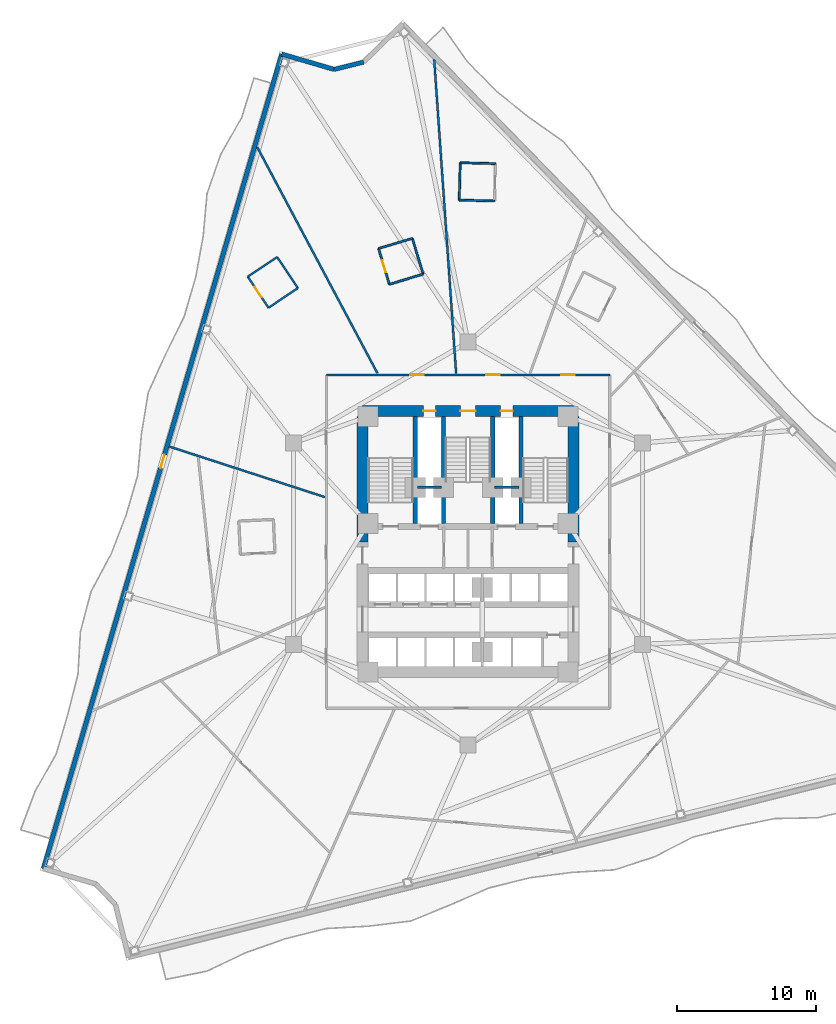
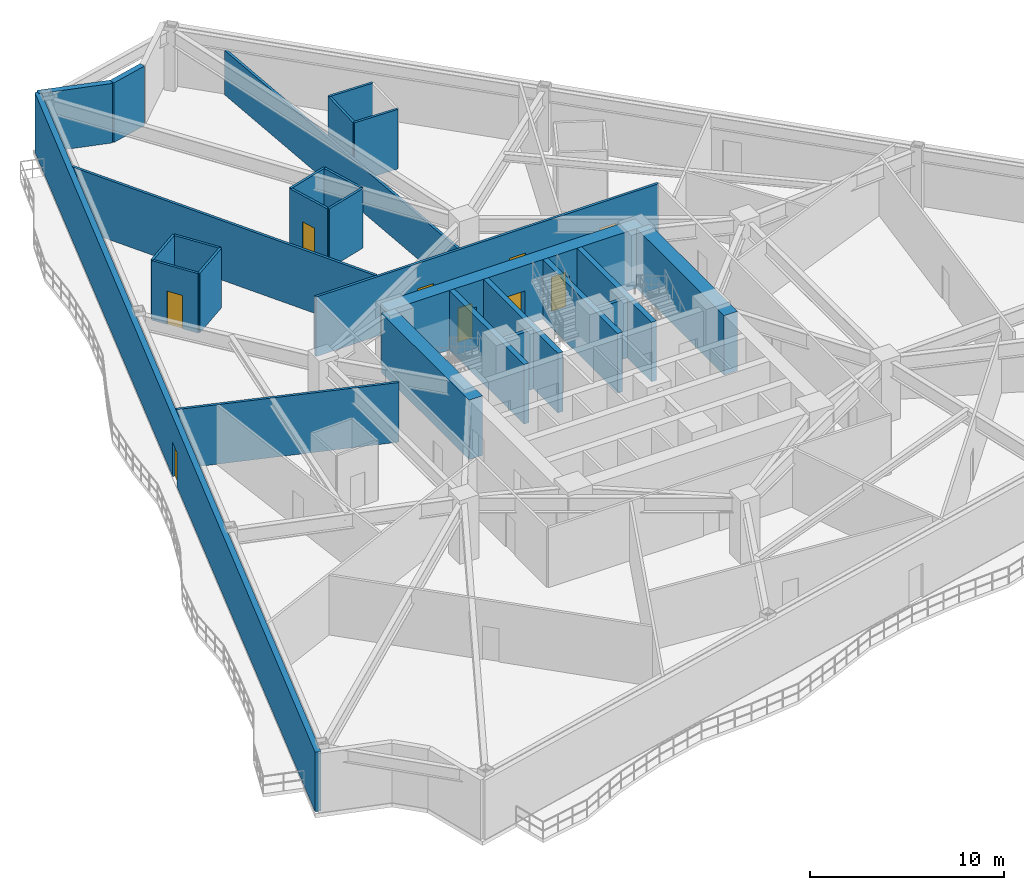
# One storey, part 5 of 10: 27 walls, 9 doors, 9 openings.
"""IFC4 building model written with IfcOpenShell, lengths in metres."""

from ifc_helpers import new_model, si_unit, direction, frame, frame_2d, origin, place, context, subcontext, project, spatial, rectangle, extrude, material, layer, layer_set, type_object, element, fill, save


model = new_model("IFC4")

# Units and contexts
model_context = context("Model", 3, precision=1e-05, world=origin(), true_north=direction((0.0, 1.0)))
body_context = subcontext(model_context, "Body", "Model", "MODEL_VIEW")
ifc_project = project(units=[si_unit("LENGTHUNIT", "METRE"), si_unit("AREAUNIT", "SQUARE_METRE"), si_unit("VOLUMEUNIT", "CUBIC_METRE"), si_unit("PLANEANGLEUNIT", "RADIAN"), si_unit("MASSUNIT", "GRAM", prefix="KILO")], contexts=[model_context])

# Site, building, storey
site_placement = place(None, origin())
site = spatial("IfcSite", under=ifc_project, at=site_placement, CompositionType="ELEMENT")
building_placement = place(site_placement, origin())
building = spatial("IfcBuilding", under=site, at=building_placement, Name="Apsidion Concourse Tower", CompositionType="ELEMENT")
storey_placement = place(building_placement, frame((0.0, 0.0, 99.0)))
storey = spatial("IfcBuildingStorey", under=building, at=storey_placement, Name="L22", CompositionType="ELEMENT", Elevation=99.0)

# Wall, opening, door
ifc_material_1 = material(Name="Precast concrete C40/50", Category="concrete")
ifc_layer_1 = layer(ifc_material_1, 0.320068359375)
ifc_layer_set_1 = layer_set([ifc_layer_1], Name="Precast concrete C40/50")
wall_type_1 = type_object("IfcWallType", Name="WL-EXT-320", PredefinedType="STANDARD", material=ifc_layer_set_1)
wall_1_placement = place(storey_placement, frame((-30.55908203125, -23.389404296875, 0.0), z_axis=(0.0, 0.0, 1.0), x_axis=(0.280769703207, 0.95977516834, 0.0)))
wall_1 = element("IfcWall", 1, at=wall_1_placement, inside=storey, type_object=wall_type_1, Name="L22 Precast Stone Facade Wall 09", PredefinedType="STANDARD", context=body_context, shape_type="SweptSolid", body=[
    extrude(rectangle(XDim=61.07568359375, YDim=0.320068359375, at=frame_2d((30.537841796875, 0.0))), origin(), (0.0, 0.0, 1.0), 3.75),
])
opening_1_placement = place(wall_1_placement, frame((30.037841796875, 0.0, 0.0)))
opening_1 = element("IfcOpeningElement", 2, at=opening_1_placement, cuts=wall_1, Name="Opening D-T1L", PredefinedType="OPENING", context=body_context, shape_type="SweptSolid", body=[
    extrude(rectangle(XDim=1.0, YDim=2.14990234375, at=frame_2d((0.5, 1.074951171875))), frame((0.0, 0.169921875, 0.0), z_axis=(0.0, -1.0, 0.0), x_axis=(1.0, 0.0, 0.0)), (0.0, 0.0, 1.0), 0.340087890625),
])
ifc_material_2 = material(Name="Anodised aluminium EN AW-6063 T6", Category="aluminium")
door_type_1 = type_object("IfcDoorType", Name="DR-TER-1022L", OperationType="SINGLE_SWING_LEFT", PredefinedType="DOOR", material=ifc_material_2)
door_1_placement = place(opening_1_placement, origin())
door_1 = element("IfcDoor", 3, at=door_1_placement, inside=storey, type_object=door_type_1, Name="L22 Balcony Access Door 1", OperationType="SINGLE_SWING_LEFT", OverallHeight=2.14990234375, OverallWidth=1.0, PredefinedType="DOOR", context=body_context, shape_type="SweptSolid", body=[
    extrude(rectangle(XDim=1.0, YDim=2.14990234375, at=frame_2d((0.5, 1.074951171875))), frame((0.0, 0.02490234375, 0.0), z_axis=(0.0, -1.0, 0.0), x_axis=(1.0, 0.0, 0.0)), (0.0, 0.0, 1.0), 0.050048828125),
])
fill(opening_1, door_1)

# Walls
wall_2_placement = place(storey_placement, frame((-13.410888671875, 35.2294921875, 0.0), z_axis=(0.0, 0.0, 1.0), x_axis=(0.959788404321, -0.280724453747, 0.0)))
element("IfcWall", 4, at=wall_2_placement, inside=storey, type_object=wall_type_1, Name="L22 Precast Stone Facade Wall 10", PredefinedType="STANDARD", context=body_context, shape_type="SweptSolid", body=[
    extrude(rectangle(XDim=3.93359375, YDim=0.320068359375, at=frame_2d((1.966796875, 0.0))), origin(), (0.0, 0.0, 1.0), 3.75),
])
wall_3_placement = place(storey_placement, frame((-9.635498046875, 34.125244140625, 0.0), z_axis=(0.0, 0.0, 1.0), x_axis=(0.970306423964, 0.241878985475, 0.0)))
element("IfcWall", 5, at=wall_3_placement, inside=storey, type_object=wall_type_1, Name="L22 Precast Stone Facade Wall 11", PredefinedType="STANDARD", context=body_context, shape_type="SweptSolid", body=[
    extrude(rectangle(XDim=2.187255859375, YDim=0.320068359375, at=frame_2d((1.09375, 0.0))), origin(), (0.0, 0.0, 1.0), 3.75),
])
ifc_material_3 = material(Name="Gypsum plasterboard partition")
ifc_layer_2 = layer(ifc_material_3, 0.139892578125)
ifc_layer_set_2 = layer_set([ifc_layer_2], Name="Gypsum plasterboard partition")
wall_type_2 = type_object("IfcWallType", Name="WL-INT-PAR-140", PredefinedType="PARTITIONING", material=ifc_layer_set_2)
wall_4_placement = place(storey_placement, frame((1.9765625, 27.346435546875, 0.0), z_axis=(0.0, 0.0, 1.0), x_axis=(-0.999658163524, 0.026144905815, 0.0)))
element("IfcWall", 6, at=wall_4_placement, inside=storey, type_object=wall_type_2, Name="L22 Interior Partition WL-L22-POD-ENS07-S2", PredefinedType="PARTITIONING", context=body_context, shape_type="SweptSolid", body=[
    extrude(rectangle(XDim=2.5400390625, YDim=0.139892578125, at=frame_2d((1.27001953125, 0.0))), origin(), (0.0, 0.0, 1.0), 3.75),
])
wall_5_placement = place(storey_placement, frame((-0.5625, 27.412841796875, 0.0), z_axis=(0.0, 0.0, 1.0), x_axis=(-0.026230303498, -0.999655926396, 0.0)))
element("IfcWall", 7, at=wall_5_placement, inside=storey, type_object=wall_type_2, Name="L22 Interior Partition WL-L22-POD-ENS07-S3", PredefinedType="PARTITIONING", context=body_context, shape_type="SweptSolid", body=[
    extrude(rectangle(XDim=2.68994140625, YDim=0.139892578125, at=frame_2d((1.344970703125, 0.0))), origin(), (0.0, 0.0, 1.0), 3.75),
])
wall_6_placement = place(storey_placement, frame((-0.633056640625, 24.723876953125, 0.0), z_axis=(0.0, 0.0, 1.0), x_axis=(0.9996556467, -0.026240960726, 0.0)))
element("IfcWall", 8, at=wall_6_placement, inside=storey, type_object=wall_type_2, Name="L22 Interior Partition WL-L22-POD-ENS07-S4", PredefinedType="PARTITIONING", context=body_context, shape_type="SweptSolid", body=[
    extrude(rectangle(XDim=2.5400390625, YDim=0.139892578125, at=frame_2d((1.27001953125, 0.0))), origin(), (0.0, 0.0, 1.0), 3.75),
])
wall_7_placement = place(storey_placement, frame((-3.231201171875, 19.3916015625, 0.0), z_axis=(0.0, 0.0, 1.0), x_axis=(-0.287414492518, 0.957806300611, 0.0)))
element("IfcWall", 9, at=wall_7_placement, inside=storey, type_object=wall_type_2, Name="L22 Interior Partition WL-L22-POD-ENS08-S1", PredefinedType="PARTITIONING", context=body_context, shape_type="SweptSolid", body=[
    extrude(rectangle(XDim=2.690185546875, YDim=0.139892578125, at=frame_2d((1.34521484375, 0.0))), origin(), (0.0, 0.0, 1.0), 3.75),
])
wall_8_placement = place(storey_placement, frame((-4.00439453125, 21.96826171875, 0.0), z_axis=(0.0, 0.0, 1.0), x_axis=(-0.957813056997, -0.287391975958, 0.0)))
element("IfcWall", 10, at=wall_8_placement, inside=storey, type_object=wall_type_2, Name="L22 Interior Partition WL-L22-POD-ENS08-S2", PredefinedType="PARTITIONING", context=body_context, shape_type="SweptSolid", body=[
    extrude(rectangle(XDim=2.5400390625, YDim=0.139892578125, at=frame_2d((1.27001953125, 0.0))), origin(), (0.0, 0.0, 1.0), 3.75),
])

# Wall, opening, door
wall_9_placement = place(storey_placement, frame((-6.437255859375, 21.23828125, 0.0), z_axis=(0.0, 0.0, 1.0), x_axis=(0.287356212452, -0.957823787116, 0.0)))
wall_9 = element("IfcWall", 11, at=wall_9_placement, inside=storey, type_object=wall_type_2, Name="L22 Interior Partition WL-L22-POD-ENS08-S3", PredefinedType="PARTITIONING", context=body_context, shape_type="SweptSolid", body=[
    extrude(rectangle(XDim=2.68994140625, YDim=0.139892578125, at=frame_2d((1.344970703125, 0.0))), origin(), (0.0, 0.0, 1.0), 3.75),
])
opening_2_placement = place(wall_9_placement, frame((0.905029296875, 0.0, 0.0)))
opening_2 = element("IfcOpeningElement", 12, at=opening_2_placement, cuts=wall_9, Name="Opening D-03L", PredefinedType="OPENING", context=body_context, shape_type="SweptSolid", body=[
    extrude(rectangle(XDim=0.8798828125, YDim=2.10009765625, at=frame_2d((0.43994140625, 1.050048828125))), frame((0.0, 0.080078125, 0.0), z_axis=(0.0, -1.0, 0.0), x_axis=(1.0, 0.0, 0.0)), (0.0, 0.0, 1.0), 0.159912109375),
])
door_type_2 = type_object("IfcDoorType", Name="DR-INT-D03L", OperationType="SINGLE_SWING_LEFT", PredefinedType="DOOR", material=ifc_material_2)
door_2_placement = place(opening_2_placement, origin())
door_2 = element("IfcDoor", 13, at=door_2_placement, inside=storey, type_object=door_type_2, Name="L22 Guest En-Suite Bathroom Door ENS08", OperationType="SINGLE_SWING_LEFT", OverallHeight=2.10009765625, OverallWidth=0.8798828125, PredefinedType="DOOR", context=body_context, shape_type="SweptSolid", body=[
    extrude(rectangle(XDim=0.8798828125, YDim=2.10009765625, at=frame_2d((0.43994140625, 1.050048828125))), frame((0.0, 0.02490234375, 0.0), z_axis=(0.0, -1.0, 0.0), x_axis=(1.0, 0.0, 0.0)), (0.0, 0.0, 1.0), 0.050048828125),
])
fill(opening_2, door_2)

# Walls
wall_10_placement = place(storey_placement, frame((-5.664306640625, 18.661865234375, 0.0), z_axis=(0.0, 0.0, 1.0), x_axis=(0.957847444794, 0.287277344219, 0.0)))
element("IfcWall", 14, at=wall_10_placement, inside=storey, type_object=wall_type_2, Name="L22 Interior Partition WL-L22-POD-ENS08-S4", PredefinedType="PARTITIONING", context=body_context, shape_type="SweptSolid", body=[
    extrude(rectangle(XDim=2.540283203125, YDim=0.139892578125, at=frame_2d((1.27001953125, 0.0))), origin(), (0.0, 0.0, 1.0), 3.75),
])
wall_11_placement = place(storey_placement, frame((-12.245361328125, 18.389892578125, 0.0), z_axis=(0.0, 0.0, 1.0), x_axis=(-0.556270059529, 0.831001576937, 0.0)))
element("IfcWall", 15, at=wall_11_placement, inside=storey, type_object=wall_type_2, Name="L22 Interior Partition WL-L22-POD-ENS09-S1", PredefinedType="PARTITIONING", context=body_context, shape_type="SweptSolid", body=[
    extrude(rectangle(XDim=2.68994140625, YDim=0.139892578125, at=frame_2d((1.344970703125, 0.0))), origin(), (0.0, 0.0, 1.0), 3.75),
])
wall_12_placement = place(storey_placement, frame((-13.74169921875, 20.625244140625, 0.0), z_axis=(0.0, 0.0, 1.0), x_axis=(-0.831028566616, -0.55622973803, 0.0)))
element("IfcWall", 16, at=wall_12_placement, inside=storey, type_object=wall_type_2, Name="L22 Interior Partition WL-L22-POD-ENS09-S2", PredefinedType="PARTITIONING", context=body_context, shape_type="SweptSolid", body=[
    extrude(rectangle(XDim=2.5400390625, YDim=0.139892578125, at=frame_2d((1.27001953125, 0.0))), origin(), (0.0, 0.0, 1.0), 3.75),
])

# Wall, opening, door
wall_13_placement = place(storey_placement, frame((-15.8525390625, 19.21240234375, 0.0), z_axis=(0.0, 0.0, 1.0), x_axis=(0.556228106997, -0.831029658308, 0.0)))
wall_13 = element("IfcWall", 17, at=wall_13_placement, inside=storey, type_object=wall_type_2, Name="L22 Interior Partition WL-L22-POD-ENS09-S3", PredefinedType="PARTITIONING", context=body_context, shape_type="SweptSolid", body=[
    extrude(rectangle(XDim=2.690185546875, YDim=0.139892578125, at=frame_2d((1.34521484375, 0.0))), origin(), (0.0, 0.0, 1.0), 3.75),
])
opening_3_placement = place(wall_13_placement, frame((0.905029296875, 0.0, 0.0)))
opening_3 = element("IfcOpeningElement", 18, at=opening_3_placement, cuts=wall_13, Name="Opening D-03R", PredefinedType="OPENING", context=body_context, shape_type="SweptSolid", body=[
    extrude(rectangle(XDim=0.8798828125, YDim=2.10009765625, at=frame_2d((0.43994140625, 1.050048828125))), frame((0.0, 0.080078125, 0.0), z_axis=(0.0, -1.0, 0.0), x_axis=(1.0, 0.0, 0.0)), (0.0, 0.0, 1.0), 0.159912109375),
])
door_type_3 = type_object("IfcDoorType", Name="DR-INT-D03R", OperationType="SINGLE_SWING_RIGHT", PredefinedType="DOOR", material=ifc_material_2)
door_3_placement = place(opening_3_placement, origin())
door_3 = element("IfcDoor", 19, at=door_3_placement, inside=storey, type_object=door_type_3, Name="L22 Guest En-Suite Bathroom Door ENS09", OperationType="SINGLE_SWING_RIGHT", OverallHeight=2.10009765625, OverallWidth=0.8798828125, PredefinedType="DOOR", context=body_context, shape_type="SweptSolid", body=[
    extrude(rectangle(XDim=0.8798828125, YDim=2.10009765625, at=frame_2d((0.43994140625, 1.050048828125))), frame((0.0, 0.02490234375, 0.0), z_axis=(0.0, -1.0, 0.0), x_axis=(1.0, 0.0, 0.0)), (0.0, 0.0, 1.0), 0.050048828125),
])
fill(opening_3, door_3)

# Wall
wall_14_placement = place(storey_placement, frame((-14.356201171875, 16.976806640625, 0.0), z_axis=(0.0, 0.0, 1.0), x_axis=(0.830984136896, 0.556296112, 0.0)))
element("IfcWall", 20, at=wall_14_placement, inside=storey, type_object=wall_type_2, Name="L22 Interior Partition WL-L22-POD-ENS09-S4", PredefinedType="PARTITIONING", context=body_context, shape_type="SweptSolid", body=[
    extrude(rectangle(XDim=2.540283203125, YDim=0.139892578125, at=frame_2d((1.27001953125, 0.0))), origin(), (0.0, 0.0, 1.0), 3.75),
])

# Wall, openings, doors
ifc_layer_3 = layer(ifc_material_3, 0.14990234375)
ifc_layer_set_3 = layer_set([ifc_layer_3], Name="Gypsum plasterboard partition")
wall_type_3 = type_object("IfcWallType", Name="WL-INT-PAR-150", PredefinedType="PARTITIONING", material=ifc_layer_set_3)
wall_15_placement = place(storey_placement, frame((-10.199951171875, 12.14990234375, 0.0), z_axis=(0.0, 0.0, 1.0), x_axis=(1.0, 0.0, 0.0)))
wall_15 = element("IfcWall", 21, at=wall_15_placement, inside=storey, type_object=wall_type_3, Name="L22 Interior Partition WL-L22-CORR-01", PredefinedType="PARTITIONING", context=body_context, shape_type="SweptSolid", body=[
    extrude(rectangle(XDim=20.39990234375, YDim=0.14990234375, at=frame_2d((10.199951171875, 0.0))), origin(), (0.0, 0.0, 1.0), 3.75),
])
opening_4_placement = place(wall_15_placement, frame((16.92626953125, 0.0, 0.0)))
opening_4 = element("IfcOpeningElement", 22, at=opening_4_placement, cuts=wall_15, Name="Opening D-01L", PredefinedType="OPENING", context=body_context, shape_type="SweptSolid", body=[
    extrude(rectangle(XDim=0.949951171875, YDim=2.14990234375, at=frame_2d((0.47509765625, 1.074951171875))), frame((0.0, 0.0849609375, 0.0), z_axis=(0.0, -1.0, 0.0), x_axis=(1.0, 0.0, 0.0)), (0.0, 0.0, 1.0), 0.169921875),
])
opening_5_placement = place(wall_15_placement, frame((11.522216796875, 0.0, 0.0)))
opening_5 = element("IfcOpeningElement", 23, at=opening_5_placement, cuts=wall_15, Name="Opening D-01R", PredefinedType="OPENING", context=body_context, shape_type="SweptSolid", body=[
    extrude(rectangle(XDim=0.949951171875, YDim=2.14990234375, at=frame_2d((0.47509765625, 1.074951171875))), frame((0.0, 0.0849609375, 0.0), z_axis=(0.0, -1.0, 0.0), x_axis=(1.0, 0.0, 0.0)), (0.0, 0.0, 1.0), 0.169921875),
])
opening_6_placement = place(wall_15_placement, frame((6.044921875, 0.0, 0.0)))
opening_6 = element("IfcOpeningElement", 24, at=opening_6_placement, cuts=wall_15, Name="Opening D-01L", PredefinedType="OPENING", context=body_context, shape_type="SweptSolid", body=[
    extrude(rectangle(XDim=0.949951171875, YDim=2.14990234375, at=frame_2d((0.47509765625, 1.074951171875))), frame((0.0, 0.0849609375, 0.0), z_axis=(0.0, -1.0, 0.0), x_axis=(1.0, 0.0, 0.0)), (0.0, 0.0, 1.0), 0.169921875),
])
ifc_material_4 = material(Name="Brushed stainless steel 316", Category="steel")
door_type_4 = type_object("IfcDoorType", Name="DR-INT-D01L", OperationType="SINGLE_SWING_LEFT", PredefinedType="DOOR", material=ifc_material_4)
door_4_placement = place(opening_4_placement, origin())
door_4 = element("IfcDoor", 25, at=door_4_placement, inside=storey, type_object=door_type_4, Name="L22 Corridor Entry Door 07", OperationType="SINGLE_SWING_LEFT", OverallHeight=2.14990234375, OverallWidth=0.949951171875, PredefinedType="DOOR", context=body_context, shape_type="SweptSolid", body=[
    extrude(rectangle(XDim=0.949951171875, YDim=2.14990234375, at=frame_2d((0.47509765625, 1.074951171875))), frame((0.0, 0.02490234375, 0.0), z_axis=(0.0, -1.0, 0.0), x_axis=(1.0, 0.0, 0.0)), (0.0, 0.0, 1.0), 0.050048828125),
])
fill(opening_4, door_4)
door_5_placement = place(opening_6_placement, origin())
door_5 = element("IfcDoor", 26, at=door_5_placement, inside=storey, type_object=door_type_4, Name="L22 Corridor Entry Door 09", OperationType="SINGLE_SWING_LEFT", OverallHeight=2.14990234375, OverallWidth=0.949951171875, PredefinedType="DOOR", context=body_context, shape_type="SweptSolid", body=[
    extrude(rectangle(XDim=0.949951171875, YDim=2.14990234375, at=frame_2d((0.47509765625, 1.074951171875))), frame((0.0, 0.02490234375, 0.0), z_axis=(0.0, -1.0, 0.0), x_axis=(1.0, 0.0, 0.0)), (0.0, 0.0, 1.0), 0.050048828125),
])
fill(opening_6, door_5)
door_type_5 = type_object("IfcDoorType", Name="DR-INT-D01R", OperationType="SINGLE_SWING_RIGHT", PredefinedType="DOOR", material=ifc_material_4)
door_6_placement = place(opening_5_placement, origin())
door_6 = element("IfcDoor", 27, at=door_6_placement, inside=storey, type_object=door_type_5, Name="L22 Corridor Entry Door 08", OperationType="SINGLE_SWING_RIGHT", OverallHeight=2.14990234375, OverallWidth=0.949951171875, PredefinedType="DOOR", context=body_context, shape_type="SweptSolid", body=[
    extrude(rectangle(XDim=0.949951171875, YDim=2.14990234375, at=frame_2d((0.47509765625, 1.074951171875))), frame((0.0, 0.02490234375, 0.0), z_axis=(0.0, -1.0, 0.0), x_axis=(1.0, 0.0, 0.0)), (0.0, 0.0, 1.0), 0.050048828125),
])
fill(opening_5, door_6)

# Walls
wall_16_placement = place(storey_placement, frame((-0.85693359375, 12.2548828125, 0.0), z_axis=(0.0, 0.0, 1.0), x_axis=(-0.069756780501, 0.997564028809, 0.0)))
element("IfcWall", 28, at=wall_16_placement, inside=storey, type_object=wall_type_3, Name="L22 Interior Partition WL-L22-RAD-04-1", PredefinedType="PARTITIONING", context=body_context, shape_type="SweptSolid", body=[
    extrude(rectangle(XDim=22.6337890625, YDim=0.14990234375, at=frame_2d((11.31689453125, 0.0))), origin(), (0.0, 0.0, 1.0), 2.798095703125),
])
wall_17_placement = place(storey_placement, frame((-6.51611328125, 12.2548828125, 0.0), z_axis=(0.0, 0.0, 1.0), x_axis=(-0.46946884972, 0.882949035416, 0.0)))
element("IfcWall", 29, at=wall_17_placement, inside=storey, type_object=wall_type_3, Name="L22 Interior Partition WL-L22-RAD-05-1", PredefinedType="PARTITIONING", context=body_context, shape_type="SweptSolid", body=[
    extrude(rectangle(XDim=18.458251953125, YDim=0.14990234375, at=frame_2d((9.22900390625, 0.0))), origin(), (0.0, 0.0, 1.0), 3.75),
])
wall_18_placement = place(storey_placement, frame((-10.304931640625, 3.348388671875, 0.0), z_axis=(0.0, 0.0, 1.0), x_axis=(-0.95106350306, 0.308995490497, 0.0)))
element("IfcWall", 30, at=wall_18_placement, inside=storey, type_object=wall_type_3, Name="L22 Interior Partition WL-L22-RAD-06-1", PredefinedType="PARTITIONING", context=body_context, shape_type="SweptSolid", body=[
    extrude(rectangle(XDim=11.762451171875, YDim=0.14990234375, at=frame_2d((5.88134765625, 0.0))), origin(), (0.0, 0.0, 1.0), 3.75),
])
ifc_layer_4 = layer(ifc_material_3, 0.199951171875)
ifc_layer_set_4 = layer_set([ifc_layer_4], Name="Gypsum plasterboard partition")
wall_type_4 = type_object("IfcWallType", Name="WL-INT-PAR-200", PredefinedType="PARTITIONING", material=ifc_layer_set_4)
for number, where, z_axis, x_axis, name in (
    (31, (-3.64990234375, 4.050048828125, 0.0), (0.0, 0.0, 1.0), (1.0, 0.0, 0.0), "L22 Interior Partition WL-L22-FF1-N"),
    (32, (1.919921875, 4.050048828125, 0.0), (0.0, 0.0, 1.0), (1.0, 0.0, 0.0), "L22 Interior Partition WL-L22-FF2-N"),
):
    element("IfcWall", number, at=place(storey_placement, frame(where, z_axis=z_axis, x_axis=x_axis)), inside=storey, type_object=wall_type_4, Name=name, PredefinedType="PARTITIONING", context=body_context, shape_type="SweptSolid", body=[
        extrude(rectangle(XDim=1.72998046875, YDim=0.199951171875, at=frame_2d((0.864990234375, 0.0))), origin(), (0.0, 0.0, 1.0), 3.75),
    ])
ifc_material_5 = material(Name="Concrete C50/60", Category="concrete")
ifc_layer_5 = layer(ifc_material_5, 0.300048828125)
ifc_layer_set_5 = layer_set([ifc_layer_5], Name="Concrete C50/60")
wall_type_5 = type_object("IfcWallType", Name="WL-SH-300", PredefinedType="SHEAR", material=ifc_layer_set_5)
for number, where, z_axis, x_axis, name in (
    (33, (-3.800048828125, 1.449951171875, 0.0), (0.0, 0.0, 1.0), (0.0, 1.0, 0.0), "L22 Central Core Shear Wall V1"),
    (34, (-1.77490234375, 1.449951171875, 0.0), (0.0, 0.0, 1.0), (0.0, 1.0, 0.0), "L22 Central Core Shear Wall V2"),
    (35, (1.77490234375, 1.449951171875, 0.0), (0.0, 0.0, 1.0), (0.0, 1.0, 0.0), "L22 Central Core Shear Wall V3"),
    (36, (3.800048828125, 1.449951171875, 0.0), (0.0, 0.0, 1.0), (0.0, 1.0, 0.0), "L22 Central Core Shear Wall V4"),
):
    element("IfcWall", number, at=place(storey_placement, frame(where, z_axis=z_axis, x_axis=x_axis)), inside=storey, type_object=wall_type_5, Name=name, PredefinedType="SHEAR", context=body_context, shape_type="SweptSolid", body=[
        extrude(rectangle(XDim=7.699951171875, YDim=0.300048828125, at=frame_2d((3.85009765625, 0.0))), origin(), (0.0, 0.0, 1.0), 3.75),
    ])

# Wall, openings, doors
ifc_material_6 = material(Name="Concrete C60/75", Category="concrete")
ifc_layer_6 = layer(ifc_material_6, 0.800048828125)
ifc_layer_set_6 = layer_set([ifc_layer_6], Name="Concrete C60/75")
wall_type_6 = type_object("IfcWallType", Name="WL-SH-800", PredefinedType="SHEAR", material=ifc_layer_set_6)
wall_19_placement = place(storey_placement, frame((-7.60009765625, 9.550048828125, 0.0), z_axis=(0.0, 0.0, 1.0), x_axis=(1.0, 0.0, 0.0)))
wall_19 = element("IfcWall", 37, at=wall_19_placement, inside=storey, type_object=wall_type_6, Name="L22 Central Core Shear Wall N", PredefinedType="SHEAR", context=body_context, shape_type="SweptSolid", body=[
    extrude(rectangle(XDim=15.2001953125, YDim=0.800048828125, at=frame_2d((7.60009765625, 0.0))), origin(), (0.0, 0.0, 1.0), 3.75),
])
opening_7_placement = place(wall_19_placement, frame((7.050048828125, 0.0, 0.0)))
opening_7 = element("IfcOpeningElement", 38, at=opening_7_placement, cuts=wall_19, Name="Opening D-STL", PredefinedType="OPENING", context=body_context, shape_type="SweptSolid", body=[
    extrude(rectangle(XDim=1.10009765625, YDim=2.14990234375, at=frame_2d((0.550048828125, 1.074951171875))), frame((0.0, 0.41015625, 0.0), z_axis=(0.0, -1.0, 0.0), x_axis=(1.0, 0.0, 0.0)), (0.0, 0.0, 1.0), 0.820068359375),
])
opening_8_placement = place(wall_19_placement, frame((4.3798828125, 0.0, 0.0)))
opening_8 = element("IfcOpeningElement", 39, at=opening_8_placement, cuts=wall_19, Name="Opening D-05L", PredefinedType="OPENING", context=body_context, shape_type="SweptSolid", body=[
    extrude(rectangle(XDim=0.8798828125, YDim=2.14990234375, at=frame_2d((0.43994140625, 1.074951171875))), frame((0.0, 0.41015625, 0.0), z_axis=(0.0, -1.0, 0.0), x_axis=(1.0, 0.0, 0.0)), (0.0, 0.0, 1.0), 0.820068359375),
])
opening_9_placement = place(wall_19_placement, frame((9.93994140625, 0.0, 0.0)))
opening_9 = element("IfcOpeningElement", 40, at=opening_9_placement, cuts=wall_19, Name="Opening D-05R", PredefinedType="OPENING", context=body_context, shape_type="SweptSolid", body=[
    extrude(rectangle(XDim=0.8798828125, YDim=2.14990234375, at=frame_2d((0.43994140625, 1.074951171875))), frame((0.0, 0.41015625, 0.0), z_axis=(0.0, -1.0, 0.0), x_axis=(1.0, 0.0, 0.0)), (0.0, 0.0, 1.0), 0.820068359375),
])
door_type_6 = type_object("IfcDoorType", Name="DR-INT-D05L", OperationType="SINGLE_SWING_LEFT", PredefinedType="DOOR", material=ifc_material_4)
door_7_placement = place(opening_8_placement, origin())
door_7 = element("IfcDoor", 41, at=door_7_placement, inside=storey, type_object=door_type_6, Name="L22 Electrical Riser Shaft Access Door", OperationType="SINGLE_SWING_LEFT", OverallHeight=2.14990234375, OverallWidth=0.8798828125, PredefinedType="DOOR", context=body_context, shape_type="SweptSolid", body=[
    extrude(rectangle(XDim=0.8798828125, YDim=2.14990234375, at=frame_2d((0.43994140625, 1.074951171875))), frame((0.0, 0.02490234375, 0.0), z_axis=(0.0, -1.0, 0.0), x_axis=(1.0, 0.0, 0.0)), (0.0, 0.0, 1.0), 0.050048828125),
])
fill(opening_8, door_7)
door_type_7 = type_object("IfcDoorType", Name="DR-INT-D05R", OperationType="SINGLE_SWING_RIGHT", PredefinedType="DOOR", material=ifc_material_4)
door_8_placement = place(opening_9_placement, origin())
door_8 = element("IfcDoor", 42, at=door_8_placement, inside=storey, type_object=door_type_7, Name="L22 Mechanical Riser Shaft Access Door", OperationType="SINGLE_SWING_RIGHT", OverallHeight=2.14990234375, OverallWidth=0.8798828125, PredefinedType="DOOR", context=body_context, shape_type="SweptSolid", body=[
    extrude(rectangle(XDim=0.8798828125, YDim=2.14990234375, at=frame_2d((0.43994140625, 1.074951171875))), frame((0.0, 0.02490234375, 0.0), z_axis=(0.0, -1.0, 0.0), x_axis=(1.0, 0.0, 0.0)), (0.0, 0.0, 1.0), 0.050048828125),
])
fill(opening_9, door_8)
door_type_8 = type_object("IfcDoorType", Name="DR-INT-ST1L", OperationType="SINGLE_SWING_LEFT", PredefinedType="DOOR", material=ifc_material_4)
door_9_placement = place(opening_7_placement, origin())
door_9 = element("IfcDoor", 43, at=door_9_placement, inside=storey, type_object=door_type_8, Name="L22 Core Exit Stair ST3 Door", OperationType="SINGLE_SWING_LEFT", OverallHeight=2.14990234375, OverallWidth=1.10009765625, PredefinedType="DOOR", context=body_context, shape_type="SweptSolid", body=[
    extrude(rectangle(XDim=1.10009765625, YDim=2.14990234375, at=frame_2d((0.550048828125, 1.074951171875))), frame((0.0, 0.02490234375, 0.0), z_axis=(0.0, -1.0, 0.0), x_axis=(1.0, 0.0, 0.0)), (0.0, 0.0, 1.0), 0.050048828125),
])
fill(opening_7, door_9)

# Walls
for number, where, z_axis, x_axis, name in (
    (44, (-7.60009765625, 0.10009765625, 0.0), (0.0, 0.0, 1.0), (0.0, 1.0, 0.0), "L22 Central Core Shear Wall WN"),
    (45, (7.60009765625, 0.10009765625, 0.0), (0.0, 0.0, 1.0), (0.0, 1.0, 0.0), "L22 Central Core Shear Wall EN"),
):
    element("IfcWall", number, at=place(storey_placement, frame(where, z_axis=z_axis, x_axis=x_axis)), inside=storey, type_object=wall_type_6, Name=name, PredefinedType="SHEAR", context=body_context, shape_type="SweptSolid", body=[
        extrude(rectangle(XDim=9.0498046875, YDim=0.800048828125, at=frame_2d((4.52490234375, 0.0))), origin(), (0.0, 0.0, 1.0), 3.75),
    ])

save(model, "model.ifc")
